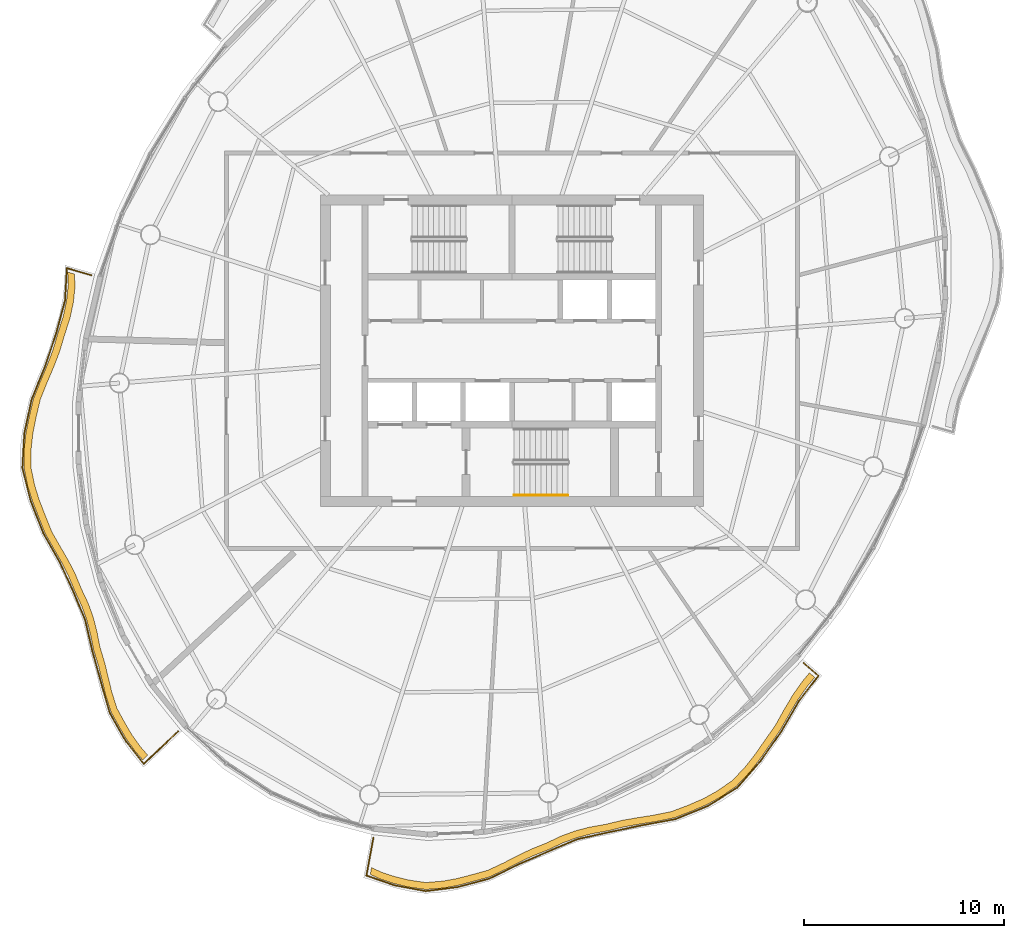
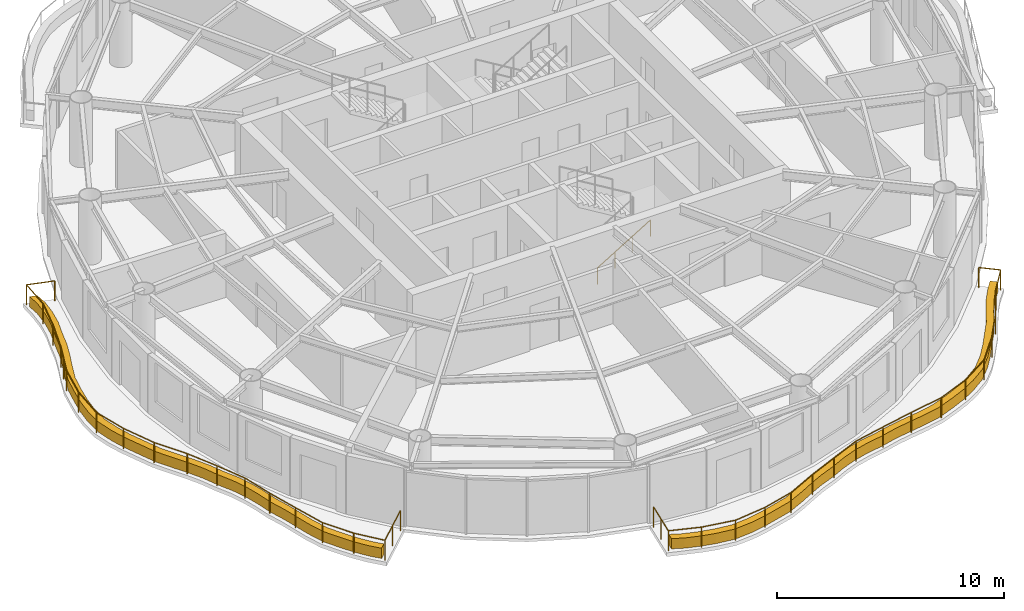
# One storey, part 11 of 13: 3 railings, 2 coverings.
"""IFC4 building model written with IfcOpenShell, lengths in metres."""

from ifc_helpers import new_model, si_unit, direction, frame, origin, origin_2d, place, context, subcontext, project, spatial, polyline, circle, outline, extrude, material, type_object, element, save


model = new_model("IFC4")

# Units and contexts
model_context = context("Model", 3, precision=1e-05, world=origin(), true_north=direction((0.0, 1.0)))
body_context = subcontext(model_context, "Body", "Model", "MODEL_VIEW")
ifc_project = project(units=[si_unit("LENGTHUNIT", "METRE"), si_unit("AREAUNIT", "SQUARE_METRE"), si_unit("VOLUMEUNIT", "CUBIC_METRE"), si_unit("PLANEANGLEUNIT", "RADIAN"), si_unit("MASSUNIT", "GRAM", prefix="KILO")], contexts=[model_context])

# Site, building, storey
site_placement = place(None, origin())
site = spatial("IfcSite", under=ifc_project, at=site_placement, CompositionType="ELEMENT")
building_placement = place(site_placement, origin())
building = spatial("IfcBuilding", under=site, at=building_placement, Name="Vermilion Reach Broadcast Tower", CompositionType="ELEMENT")
storey_placement = place(building_placement, frame((0.0, 0.0, 279.300048828125)))
storey = spatial("IfcBuildingStorey", under=building, at=storey_placement, Name="L69", CompositionType="ELEMENT", Elevation=279.300048828125)

# Coverings
ifc_material_1 = material(Name="Planting soil and greenery")
covering_type = type_object("IfcCoveringType", Name="Balcony PLANTER", PredefinedType="USERDEFINED", material=ifc_material_1)
placement = place(storey_placement, origin())
element("IfcCovering", 1, at=placement, inside=storey, type_object=covering_type, Name="PLANTER L69 group 2", ObjectType="PLANTER", PredefinedType="USERDEFINED", context=body_context, shape_type="SweptSolid", body=[
    extrude(outline(polyline([(-28.259033203125, 3.937744140625), (-28.2236328125, 3.31982421875), (-28.311279296875, 2.498046875), (-28.483154296875, 1.69580078125), (-28.75537109375, 0.851318359375), (-29.003662109375, 0.003173828125), (-29.302490234375, -0.775146484375), (-29.63330078125, -1.5498046875), (-29.97998046875, -2.438720703125), (-30.189208984375, -3.345703125), (-30.34765625, -4.13720703125), (-30.436279296875, -4.9287109375), (-30.4443359375, -5.869384765625), (-30.26025390625, -6.775634765625), (-30.025390625, -7.52490234375), (-29.736572265625, -8.267578125), (-29.401123046875, -9.121826171875), (-28.9619140625, -9.906494140625), (-28.5693359375, -10.582763671875), (-28.2158203125, -11.269287109375), (-27.900634765625, -12.042236328125), (-27.55615234375, -12.77392578125), (-27.305908203125, -13.464111328125), (-27.11865234375, -14.18017578125), (-26.949462890625, -15.006591796875), (-26.705322265625, -15.803466796875), (-26.528076171875, -16.529541015625), (-26.351806640625, -17.256103515625), (-26.077392578125, -18.111328125), (-25.655029296875, -18.8779296875), (-25.2939453125, -19.4873046875), (-24.88525390625, -20.058349609375), (-24.4970703125, -20.501953125), (-24.24267578125, -20.261474609375), (-24.613037109375, -19.83837890625), (-25.021728515625, -19.267333984375), (-25.3828125, -18.657958984375), (-25.78955078125, -17.912353515625), (-26.0498046875, -17.0791015625), (-26.226318359375, -16.3525390625), (-26.4033203125, -15.62646484375), (-26.6357421875, -14.851318359375), (-26.794677734375, -14.0478515625), (-26.98193359375, -13.33154296875), (-27.232177734375, -12.641357421875), (-27.568603515625, -11.931884765625), (-27.876953125, -11.181640625), (-28.23046875, -10.4951171875), (-28.623046875, -9.81884765625), (-29.057373046875, -9.055908203125), (-29.38916015625, -8.22412109375), (-29.67822265625, -7.4814453125), (-29.9130859375, -6.732177734375), (-30.094970703125, -5.84716796875), (-30.08642578125, -4.927734375), (-29.997802734375, -4.136474609375), (-29.839111328125, -3.344970703125), (-29.630615234375, -2.458251953125), (-29.28564453125, -1.58984375), (-28.954833984375, -0.815185546875), (-28.656005859375, -0.036865234375), (-28.410400390625, 0.7919921875), (-28.14208984375, 1.6171875), (-27.97021484375, 2.41943359375), (-27.882568359375, 3.240966796875), (-27.9228515625, 3.84033203125), (-28.259033203125, 3.937744140625)])), origin(), (0.0, 0.0, 1.0), 0.550048828125),
])
element("IfcCovering", 2, at=placement, inside=storey, type_object=covering_type, Name="PLANTER L69 group 3", ObjectType="PLANTER", PredefinedType="USERDEFINED", context=body_context, shape_type="SweptSolid", body=[
    extrude(outline(polyline([(-13.0966796875, -26.235595703125), (-12.564208984375, -26.479248046875), (-11.882568359375, -26.699462890625), (-11.1953125, -26.866455078125), (-10.31982421875, -26.99169921875), (-9.42333984375, -26.91748046875), (-8.71240234375, -26.78759765625), (-8.00390625, -26.602783203125), (-7.156982421875, -26.37255859375), (-6.338623046875, -25.994140625), (-5.658203125, -25.642333984375), (-4.973388671875, -25.312744140625), (-4.20263671875, -25.0107421875), (-3.443603515625, -24.654541015625), (-2.737060546875, -24.392333984375), (-2.007080078125, -24.201171875), (-1.1806640625, -24.051513671875), (-0.3359375, -23.843994140625), (0.455810546875, -23.706787109375), (1.253662109375, -23.582763671875), (2.161376953125, -23.3935546875), (3.036376953125, -23.056640625), (3.771728515625, -22.737548828125), (4.466064453125, -22.3544921875), (5.23486328125, -21.82568359375), (5.896728515625, -21.13671875), (6.406005859375, -20.48486328125), (6.8857421875, -19.797119140625), (7.426025390625, -19.035888671875), (7.8916015625, -18.21435546875), (8.322265625, -17.489501953125), (8.800537109375, -16.810791015625), (9.170166015625, -16.364013671875), (8.906005859375, -16.134765625), (8.54931640625, -16.567138671875), (8.07080078125, -17.245849609375), (7.64013671875, -17.970703125), (7.18896484375, -18.778564453125), (6.663330078125, -19.52685546875), (6.183837890625, -20.214599609375), (5.674560546875, -20.8662109375), (5.02880859375, -21.542724609375), (4.276611328125, -22.06005859375), (3.58251953125, -22.443359375), (2.84716796875, -22.76220703125), (1.990478515625, -23.088134765625), (1.101806640625, -23.267578125), (0.3037109375, -23.391357421875), (-0.48779296875, -23.52880859375), (-1.31201171875, -23.72705078125), (-2.117431640625, -23.868896484375), (-2.847412109375, -24.060302734375), (-3.553955078125, -24.322509765625), (-4.290283203125, -24.672119140625), (-5.0380859375, -24.96875), (-5.72265625, -25.29833984375), (-6.4033203125, -25.650146484375), (-7.19677734375, -26.02490234375), (-8.01904296875, -26.2529296875), (-8.7275390625, -26.437744140625), (-9.4384765625, -26.56787109375), (-10.308837890625, -26.641845703125), (-11.158447265625, -26.5185546875), (-11.845703125, -26.351318359375), (-12.527099609375, -26.13134765625), (-13.032958984375, -25.8916015625), (-13.0966796875, -26.235595703125)])), origin(), (0.0, 0.0, 1.0), 0.550048828125),
])

# Railings
ifc_material_2 = material(Name="Stainless steel 316 balustrade", Category="steel")
railing_type_1 = type_object("IfcRailingType", Name="Balcony guard 1100", PredefinedType="BALUSTRADE", material=ifc_material_2)
railing_1_placement = place(storey_placement, frame((-27.071533203125, 3.78076171875, 0.0)))
element("IfcRailing", 3, at=railing_1_placement, inside=storey, type_object=railing_type_1, Name="Balcony guard L69 group 2", PredefinedType="BALUSTRADE", context=body_context, shape_type="SweptSolid", body=[
    extrude(circle(Radius=0.02490234375, at=origin_2d()), frame((0.0, 0.0, 1.0751953125), z_axis=(-0.960519809397, 0.278211602482, 0.0), x_axis=(-0.278211602482, -0.960519809397, 0.0)), (0.0, 0.0, 1.0), 1.274169921875),
    extrude(circle(Radius=0.02490234375, at=origin_2d()), frame((-1.223876953125, 0.3544921875, 1.0751953125), z_axis=(-0.057804271279, -0.998327935211, 0.0), x_axis=(0.998327935211, -0.057804271279, 0.0)), (0.0, 0.0, 1.0), 1.621826171875),
    extrude(circle(Radius=0.02490234375, at=origin_2d()), frame((-1.317626953125, -1.2646484375, 1.0751953125), z_axis=(-0.2602652982, -0.965537143021, 0.0), x_axis=(0.965537143021, -0.2602652982, 0.0)), (0.0, 0.0, 1.0), 1.7099609375),
    extrude(circle(Radius=0.02490234375, at=origin_2d()), frame((-1.7626953125, -2.915771484375, 1.0751953125), z_axis=(-0.318397832376, -0.947957182756, 0.0), x_axis=(0.947957182756, -0.318397832376, 0.0)), (0.0, 0.0, 1.0), 1.720703125),
    extrude(circle(Radius=0.02490234375, at=origin_2d()), frame((-2.310546875, -4.546875, 1.0751953125), z_axis=(-0.376504326775, -0.926414859509, 0.0), x_axis=(0.926414859509, -0.376504326775, 0.0)), (0.0, 0.0, 1.0), 1.80078125),
    extrude(circle(Radius=0.02490234375, at=origin_2d()), frame((-2.988525390625, -6.215087890625, 1.0751953125), z_axis=(-0.211021641703, -0.977481389456, 0.0), x_axis=(0.977481389456, -0.211021641703, 0.0)), (0.0, 0.0, 1.0), 1.742431640625),
    extrude(circle(Radius=0.02490234375, at=origin_2d()), frame((-3.356201171875, -7.918212890625, 1.0751953125), z_axis=(-0.055431158398, -0.998462511404, 0.0), x_axis=(0.998462511404, -0.055431158398, 0.0)), (0.0, 0.0, 1.0), 1.73974609375),
    extrude(circle(Radius=0.02490234375, at=origin_2d()), frame((-3.45263671875, -9.6552734375, 1.0751953125), z_axis=(0.244782454346, -0.969578026795, 0.0), x_axis=(0.969578026795, 0.244782454346, 0.0)), (0.0, 0.0, 1.0), 1.71240234375),
    extrude(circle(Radius=0.02490234375, at=origin_2d()), frame((-3.033447265625, -11.315673828125, 1.0751953125), z_axis=(0.363617617272, -0.931548296338, 0.0), x_axis=(0.931548296338, 0.363617617272, 0.0)), (0.0, 0.0, 1.0), 1.719482421875),
    extrude(circle(Radius=0.02490234375, at=origin_2d()), frame((-2.408203125, -12.91748046875, 1.0751953125), z_axis=(0.494016870311, -0.869452317179, 0.0), x_axis=(0.869452317179, 0.494016870311, 0.0)), (0.0, 0.0, 1.0), 1.686279296875),
    extrude(circle(Radius=0.02490234375, at=origin_2d()), frame((-1.5751953125, -14.383544921875, 1.0751953125), z_axis=(0.416085716474, -0.909325396404, 0.0), x_axis=(0.909325396404, 0.416085716474, 0.0)), (0.0, 0.0, 1.0), 1.610595703125),
    extrude(circle(Radius=0.02490234375, at=origin_2d()), frame((-0.905029296875, -15.84814453125, 1.0751953125), z_axis=(0.385769489486, -0.922595198872, 0.0), x_axis=(0.922595198872, 0.385769489486, 0.0)), (0.0, 0.0, 1.0), 1.546630859375),
    extrude(circle(Radius=0.02490234375, at=origin_2d()), frame((-0.308349609375, -17.275146484375, 1.0751953125), z_axis=(0.225757322421, -0.974183571702, 0.0), x_axis=(0.974183571702, 0.225757322421, 0.0)), (0.0, 0.0, 1.0), 1.588623046875),
    extrude(circle(Radius=0.02490234375, at=origin_2d()), frame((0.05029296875, -18.82275390625, 1.0751953125), z_axis=(0.267413590718, -0.963581844733, 0.0), x_axis=(0.963581844733, 0.267413590718, 0.0)), (0.0, 0.0, 1.0), 1.5859375),
    extrude(circle(Radius=0.02490234375, at=origin_2d()), frame((0.474365234375, -20.350830078125, 1.0751953125), z_axis=(0.275111809756, -0.961412238394, 0.0), x_axis=(0.961412238394, 0.275111809756, 0.0)), (0.0, 0.0, 1.0), 1.650634765625),
    extrude(circle(Radius=0.02490234375, at=origin_2d()), frame((0.928466796875, -21.937744140625, 1.0751953125), z_axis=(0.495162457834, -0.868800403057, 0.0), x_axis=(0.868800403057, 0.495162457834, 0.0)), (0.0, 0.0, 1.0), 1.589111328125),
    extrude(circle(Radius=0.02490234375, at=origin_2d()), frame((1.71533203125, -23.318359375, 1.0751953125), z_axis=(0.619193757899, -0.785238237848, 0.0), x_axis=(0.785238237848, 0.619193757899, 0.0)), (0.0, 0.0, 1.0), 1.476318359375),
    extrude(circle(Radius=0.02490234375, at=origin_2d()), frame((2.62939453125, -24.4775390625, 1.0751953125), z_axis=(0.72701315255, 0.686623532964, 0.0), x_axis=(-0.686623532964, 0.72701315255, 0.0)), (0.0, 0.0, 1.0), 2.363525390625),
    extrude(circle(Radius=0.02490234375, at=origin_2d()), origin(), (0.0, 0.0, 1.0), 1.050048828125),
    extrude(circle(Radius=0.02490234375, at=origin_2d()), frame((-1.223876953125, 0.3544921875, 0.0)), (0.0, 0.0, 1.0), 1.050048828125),
    extrude(circle(Radius=0.02490234375, at=origin_2d()), frame((-1.317626953125, -1.2646484375, 0.0)), (0.0, 0.0, 1.0), 1.050048828125),
    extrude(circle(Radius=0.02490234375, at=origin_2d()), frame((-1.7626953125, -2.915771484375, 0.0)), (0.0, 0.0, 1.0), 1.050048828125),
    extrude(circle(Radius=0.02490234375, at=origin_2d()), frame((-2.310546875, -4.546875, 0.0)), (0.0, 0.0, 1.0), 1.050048828125),
    extrude(circle(Radius=0.02490234375, at=origin_2d()), frame((-2.6494140625, -5.380859375, 0.0)), (0.0, 0.0, 1.0), 1.050048828125),
    extrude(circle(Radius=0.02490234375, at=origin_2d()), frame((-2.988525390625, -6.215087890625, 0.0)), (0.0, 0.0, 1.0), 1.050048828125),
    extrude(circle(Radius=0.02490234375, at=origin_2d()), frame((-3.356201171875, -7.918212890625, 0.0)), (0.0, 0.0, 1.0), 1.050048828125),
    extrude(circle(Radius=0.02490234375, at=origin_2d()), frame((-3.45263671875, -9.6552734375, 0.0)), (0.0, 0.0, 1.0), 1.050048828125),
    extrude(circle(Radius=0.02490234375, at=origin_2d()), frame((-3.033447265625, -11.315673828125, 0.0)), (0.0, 0.0, 1.0), 1.050048828125),
    extrude(circle(Radius=0.02490234375, at=origin_2d()), frame((-2.408203125, -12.91748046875, 0.0)), (0.0, 0.0, 1.0), 1.050048828125),
    extrude(circle(Radius=0.02490234375, at=origin_2d()), frame((-1.5751953125, -14.383544921875, 0.0)), (0.0, 0.0, 1.0), 1.050048828125),
    extrude(circle(Radius=0.02490234375, at=origin_2d()), frame((-0.905029296875, -15.84814453125, 0.0)), (0.0, 0.0, 1.0), 1.050048828125),
    extrude(circle(Radius=0.02490234375, at=origin_2d()), frame((-0.308349609375, -17.275146484375, 0.0)), (0.0, 0.0, 1.0), 1.050048828125),
    extrude(circle(Radius=0.02490234375, at=origin_2d()), frame((0.05029296875, -18.82275390625, 0.0)), (0.0, 0.0, 1.0), 1.050048828125),
    extrude(circle(Radius=0.02490234375, at=origin_2d()), frame((0.474365234375, -20.350830078125, 0.0)), (0.0, 0.0, 1.0), 1.050048828125),
    extrude(circle(Radius=0.02490234375, at=origin_2d()), frame((0.928466796875, -21.937744140625, 0.0)), (0.0, 0.0, 1.0), 1.050048828125),
    extrude(circle(Radius=0.02490234375, at=origin_2d()), frame((1.71533203125, -23.318359375, 0.0)), (0.0, 0.0, 1.0), 1.050048828125),
    extrude(circle(Radius=0.02490234375, at=origin_2d()), frame((2.62939453125, -24.4775390625, 0.0)), (0.0, 0.0, 1.0), 1.050048828125),
    extrude(circle(Radius=0.02490234375, at=origin_2d()), frame((3.488525390625, -23.666015625, 0.0)), (0.0, 0.0, 1.0), 1.050048828125),
    extrude(circle(Radius=0.02490234375, at=origin_2d()), frame((4.34765625, -22.854736328125, 0.0)), (0.0, 0.0, 1.0), 1.050048828125),
])
railing_2_placement = place(storey_placement, frame((-12.939208984375, -24.39990234375, 0.0)))
element("IfcRailing", 4, at=railing_2_placement, inside=storey, type_object=railing_type_1, Name="Balcony guard L69 group 3", PredefinedType="BALUSTRADE", context=body_context, shape_type="SweptSolid", body=[
    extrude(circle(Radius=0.02490234375, at=origin_2d()), frame((0.0, 0.0, 1.0751953125), z_axis=(-0.181994020934, -0.983299637112, 0.0), x_axis=(0.983299637112, -0.181994020934, 0.0)), (0.0, 0.0, 1.0), 1.927734375),
    extrude(circle(Radius=0.02490234375, at=origin_2d()), frame((-0.350830078125, -1.8955078125, 1.0751953125), z_axis=(0.945111507155, -0.326747974812, 0.0), x_axis=(0.326747974812, 0.945111507155, 0.0)), (0.0, 0.0, 1.0), 1.480224609375),
    extrude(circle(Radius=0.02490234375, at=origin_2d()), frame((1.048095703125, -2.379150390625, 1.0751953125), z_axis=(0.983034594809, -0.183420242636, 0.0), x_axis=(0.183420242636, 0.983034594809, 0.0)), (0.0, 0.0, 1.0), 1.595947265625),
    extrude(circle(Radius=0.02490234375, at=origin_2d()), frame((2.616943359375, -2.671875, 1.0751953125), z_axis=(0.992073288568, 0.12566061479, 0.0), x_axis=(-0.12566061479, 0.992073288568, 0.0)), (0.0, 0.0, 1.0), 1.626220703125),
    extrude(circle(Radius=0.02490234375, at=origin_2d()), frame((4.230224609375, -2.467529296875, 1.0751953125), z_axis=(0.966360229181, 0.257192354975, 0.0), x_axis=(-0.257192354975, 0.966360229181, 0.0)), (0.0, 0.0, 1.0), 1.61572265625),
    extrude(circle(Radius=0.02490234375, at=origin_2d()), frame((5.79150390625, -2.052001953125, 1.0751953125), z_axis=(0.899449146507, 0.4370254373, 0.0), x_axis=(-0.4370254373, 0.899449146507, 0.0)), (0.0, 0.0, 1.0), 1.672607421875),
    extrude(circle(Radius=0.02490234375, at=origin_2d()), frame((7.2958984375, -1.321044921875, 1.0751953125), z_axis=(0.917646995214, 0.397396517567, 0.0), x_axis=(-0.397396517567, 0.917646995214, 0.0)), (0.0, 0.0, 1.0), 1.591796875),
    extrude(circle(Radius=0.02490234375, at=origin_2d()), frame((8.756591796875, -0.6884765625, 1.0751953125), z_axis=(0.921439467241, 0.388521953319, 0.0), x_axis=(-0.388521953319, 0.921439467241, 0.0)), (0.0, 0.0, 1.0), 1.59619140625),
    extrude(circle(Radius=0.02490234375, at=origin_2d()), frame((10.227294921875, -0.068359375, 1.0751953125), z_axis=(0.976769301922, 0.214293562251, 0.0), x_axis=(-0.214293562251, 0.976769301922, 0.0)), (0.0, 0.0, 1.0), 1.598388671875),
    extrude(circle(Radius=0.02490234375, at=origin_2d()), frame((11.78857421875, 0.274169921875, 1.0751953125), z_axis=(0.978378030854, 0.206824632824, 0.0), x_axis=(-0.206824632824, 0.978378030854, 0.0)), (0.0, 0.0, 1.0), 1.677490234375),
    extrude(circle(Radius=0.02490234375, at=origin_2d()), frame((13.4296875, 0.62109375, 1.0751953125), z_axis=(0.983408393944, 0.181405431893, 0.0), x_axis=(-0.181405431893, 0.983408393944, 0.0)), (0.0, 0.0, 1.0), 1.73876953125),
    extrude(circle(Radius=0.02490234375, at=origin_2d()), frame((15.1396484375, 0.9365234375, 1.0751953125), z_axis=(0.925954583946, 0.377634887782, 0.0), x_axis=(-0.377634887782, 0.925954583946, 0.0)), (0.0, 0.0, 1.0), 1.74365234375),
    extrude(circle(Radius=0.02490234375, at=origin_2d()), frame((16.754150390625, 1.594970703125, 1.0751953125), z_axis=(0.848608648895, 0.529021134758, 0.0), x_axis=(-0.529021134758, 0.848608648895, 0.0)), (0.0, 0.0, 1.0), 1.728759765625),
    extrude(circle(Radius=0.02490234375, at=origin_2d()), frame((18.22119140625, 2.509521484375, 1.0751953125), z_axis=(0.658194674387, 0.752847773862, 0.0), x_axis=(-0.752847773862, 0.658194674387, 0.0)), (0.0, 0.0, 1.0), 1.784912109375),
    extrude(circle(Radius=0.02490234375, at=origin_2d()), frame((19.39599609375, 3.853271484375, 1.0751953125), z_axis=(0.576143473728, 0.81734857783, 0.0), x_axis=(-0.81734857783, 0.576143473728, 0.0)), (0.0, 0.0, 1.0), 1.7763671875),
    extrude(circle(Radius=0.02490234375, at=origin_2d()), frame((20.41943359375, 5.30517578125, 1.0751953125), z_axis=(0.501997444034, 0.864869103497, 0.0), x_axis=(-0.864869103497, 0.501997444034, 0.0)), (0.0, 0.0, 1.0), 1.791748046875),
    extrude(circle(Radius=0.02490234375, at=origin_2d()), frame((21.31884765625, 6.854736328125, 1.0751953125), z_axis=(0.613165413036, 0.789954540626, 0.0), x_axis=(-0.789954540626, 0.613165413036, 0.0)), (0.0, 0.0, 1.0), 1.59228515625),
    extrude(circle(Radius=0.02490234375, at=origin_2d()), frame((22.295166015625, 8.112548828125, 1.0751953125), z_axis=(-0.755081703217, 0.655630705098, 0.0), x_axis=(-0.655630705098, -0.755081703217, 0.0)), (0.0, 0.0, 1.0), 0.98193359375),
    extrude(circle(Radius=0.02490234375, at=origin_2d()), origin(), (0.0, 0.0, 1.0), 1.050048828125),
    extrude(circle(Radius=0.02490234375, at=origin_2d()), frame((-0.17529296875, -0.94775390625, 0.0)), (0.0, 0.0, 1.0), 1.050048828125),
    extrude(circle(Radius=0.02490234375, at=origin_2d()), frame((-0.350830078125, -1.8955078125, 0.0)), (0.0, 0.0, 1.0), 1.050048828125),
    extrude(circle(Radius=0.02490234375, at=origin_2d()), frame((1.048095703125, -2.379150390625, 0.0)), (0.0, 0.0, 1.0), 1.050048828125),
    extrude(circle(Radius=0.02490234375, at=origin_2d()), frame((2.616943359375, -2.671875, 0.0)), (0.0, 0.0, 1.0), 1.050048828125),
    extrude(circle(Radius=0.02490234375, at=origin_2d()), frame((4.230224609375, -2.467529296875, 0.0)), (0.0, 0.0, 1.0), 1.050048828125),
    extrude(circle(Radius=0.02490234375, at=origin_2d()), frame((5.79150390625, -2.052001953125, 0.0)), (0.0, 0.0, 1.0), 1.050048828125),
    extrude(circle(Radius=0.02490234375, at=origin_2d()), frame((7.2958984375, -1.321044921875, 0.0)), (0.0, 0.0, 1.0), 1.050048828125),
    extrude(circle(Radius=0.02490234375, at=origin_2d()), frame((8.756591796875, -0.6884765625, 0.0)), (0.0, 0.0, 1.0), 1.050048828125),
    extrude(circle(Radius=0.02490234375, at=origin_2d()), frame((10.227294921875, -0.068359375, 0.0)), (0.0, 0.0, 1.0), 1.050048828125),
    extrude(circle(Radius=0.02490234375, at=origin_2d()), frame((11.78857421875, 0.274169921875, 0.0)), (0.0, 0.0, 1.0), 1.050048828125),
    extrude(circle(Radius=0.02490234375, at=origin_2d()), frame((13.4296875, 0.62109375, 0.0)), (0.0, 0.0, 1.0), 1.050048828125),
    extrude(circle(Radius=0.02490234375, at=origin_2d()), frame((15.1396484375, 0.9365234375, 0.0)), (0.0, 0.0, 1.0), 1.050048828125),
    extrude(circle(Radius=0.02490234375, at=origin_2d()), frame((16.754150390625, 1.594970703125, 0.0)), (0.0, 0.0, 1.0), 1.050048828125),
    extrude(circle(Radius=0.02490234375, at=origin_2d()), frame((18.22119140625, 2.509521484375, 0.0)), (0.0, 0.0, 1.0), 1.050048828125),
    extrude(circle(Radius=0.02490234375, at=origin_2d()), frame((19.39599609375, 3.853271484375, 0.0)), (0.0, 0.0, 1.0), 1.050048828125),
    extrude(circle(Radius=0.02490234375, at=origin_2d()), frame((20.41943359375, 5.30517578125, 0.0)), (0.0, 0.0, 1.0), 1.050048828125),
    extrude(circle(Radius=0.02490234375, at=origin_2d()), frame((21.31884765625, 6.854736328125, 0.0)), (0.0, 0.0, 1.0), 1.050048828125),
    extrude(circle(Radius=0.02490234375, at=origin_2d()), frame((22.295166015625, 8.112548828125, 0.0)), (0.0, 0.0, 1.0), 1.050048828125),
    extrude(circle(Radius=0.02490234375, at=origin_2d()), frame((21.5537109375, 8.75634765625, 0.0)), (0.0, 0.0, 1.0), 1.050048828125),
])
ifc_material_3 = material(Name="Stainless steel", Category="steel")
railing_type_2 = type_object("IfcRailingType", Name="Stair handrail", PredefinedType="HANDRAIL", material=ifc_material_3)
railing_3_placement = place(storey_placement, frame((-5.89990234375, -7.25, 0.16357421875)))
element("IfcRailing", 5, at=railing_3_placement, inside=storey, type_object=railing_type_2, Name="L69 ST3 stair handrail 1", PredefinedType="HANDRAIL", context=body_context, shape_type="SweptSolid", body=[
    extrude(circle(Radius=0.02392578125, at=origin_2d()), frame((0.0, 0.0, 0.8759765625), z_axis=(0.855178096276, 0.0, 0.518334277904), x_axis=(0.0, 1.0, 0.0)), (0.0, 0.0, 1.0), 3.1572265625),
    extrude(circle(Radius=0.02099609375, at=origin_2d()), origin(), (0.0, 0.0, 1.0), 0.851806640625),
    extrude(circle(Radius=0.02099609375, at=origin_2d()), frame((0.89990234375, 0.0, 0.54541015625)), (0.0, 0.0, 1.0), 0.851806640625),
    extrude(circle(Radius=0.02099609375, at=origin_2d()), frame((1.800048828125, 0.0, 1.091064453125)), (0.0, 0.0, 1.0), 0.851806640625),
    extrude(circle(Radius=0.02099609375, at=origin_2d()), frame((2.699951171875, 0.0, 1.636474609375)), (0.0, 0.0, 1.0), 0.851806640625),
])

save(model, "model.ifc")
